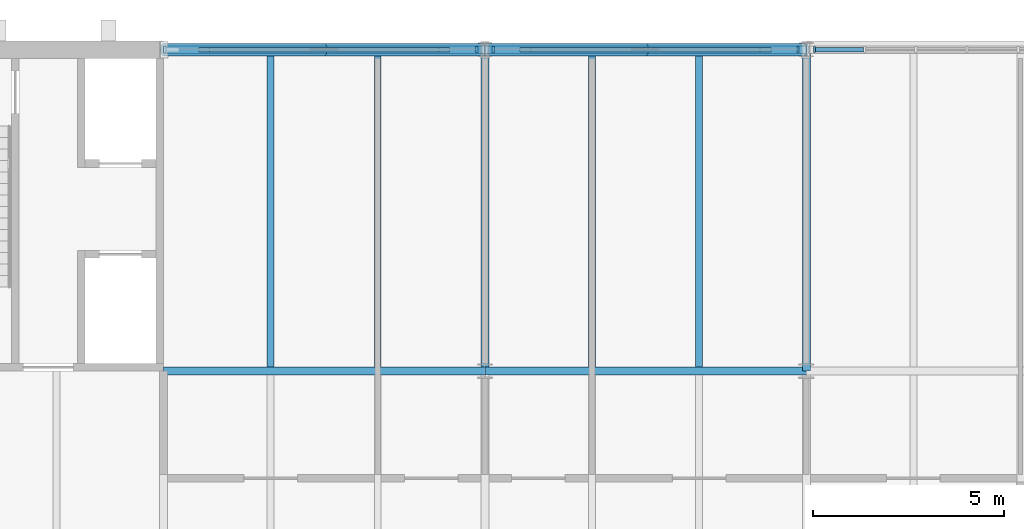
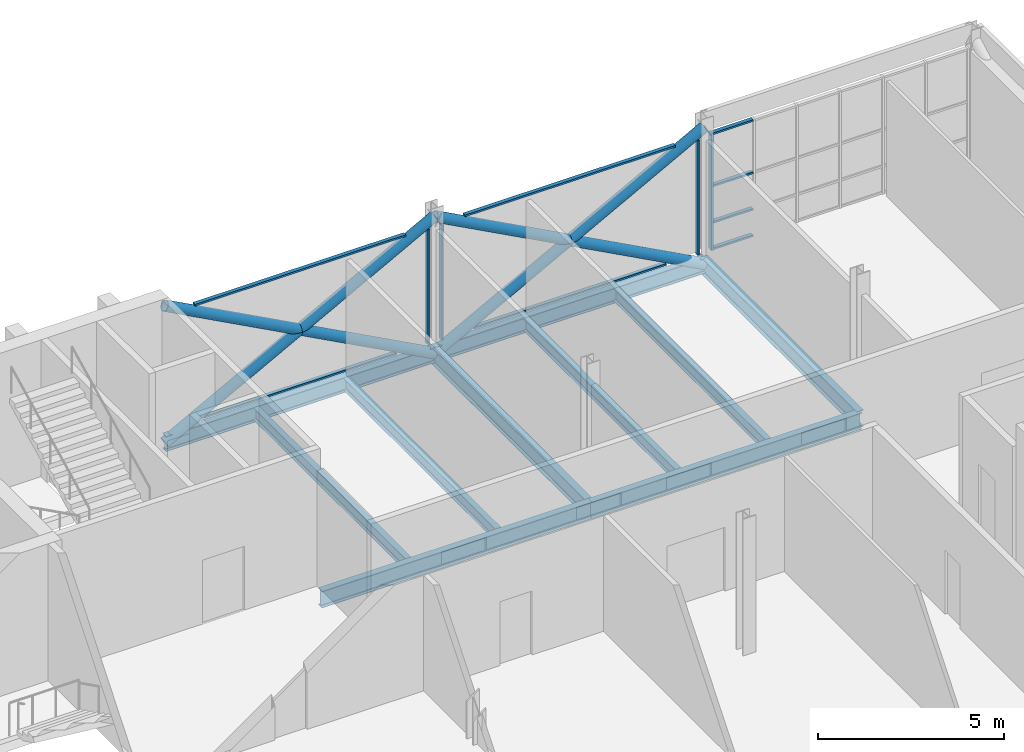
# One storey, part 63 of 121: 18 members, 10 beams, 3 elements without a shape of their own.
"""IFC4 building model written with IfcOpenShell, lengths in metres."""

from ifc_helpers import new_model, si_unit, direction, frame, origin, origin_2d, place, context, subcontext, project, spatial, rectangle, hollow_circle, i_section, extrude, material, layer, layer_set, material_profile, profile_set, type_object, element, aggregate, save


model = new_model("IFC4")

# Units and contexts
model_context = context("Model", 3, precision=1e-05, world=origin(), true_north=direction((0.0, 1.0)))
body_context = subcontext(model_context, "Body", "Model", "MODEL_VIEW")
ifc_project = project(units=[si_unit("LENGTHUNIT", "METRE"), si_unit("AREAUNIT", "SQUARE_METRE"), si_unit("VOLUMEUNIT", "CUBIC_METRE"), si_unit("PLANEANGLEUNIT", "RADIAN"), si_unit("MASSUNIT", "GRAM", prefix="KILO")], contexts=[model_context])

# Site, building, storey
site_placement = place(None, origin())
site = spatial("IfcSite", under=ifc_project, at=site_placement, CompositionType="ELEMENT")
building_placement = place(site_placement, origin())
building = spatial("IfcBuilding", under=site, at=building_placement, Name="Ardhachandra Cancer Care Centre", CompositionType="ELEMENT")
storey_placement = place(building_placement, frame((0.0, 0.0, 9.0)))
storey = spatial("IfcBuildingStorey", under=building, at=storey_placement, Name="L02", CompositionType="ELEMENT", Elevation=9.0)

# Beams
ifc_material_1 = material(Name="Steel E350 (IS 2062)", Category="steel")
ifc_material_profile_1 = material_profile(ifc_material_1, i_section(OverallWidth=0.179931640625, OverallDepth=0.39990234375, WebThickness=0.008544921875, FlangeThickness=0.013427734375, FilletRadius=0.02099609375, at=origin_2d()), Name="NPB 400x180x66.30")
ifc_profile_set_1 = profile_set([ifc_material_profile_1], Name="Steel E350 (IS 2062)")
beam_type_1 = type_object("IfcBeamType", Name="Beam NPB 400x180x66.30", PredefinedType="BEAM", material=ifc_profile_set_1)
for number, where, z_axis, x_axis, name in (
    (1, (122.800048828125, 96.705078125, -0.35009765625), (0.0, 1.0, 0.0), (-1.0, 0.0, 0.0), "Secondary L14-M14@2800"),
    (2, (125.60009765625, 96.705078125, -0.35009765625), (0.0, 1.0, 0.0), (-1.0, 0.0, 0.0), "Secondary L14-M14@5600"),
    (3, (131.199951171875, 96.705078125, -0.35009765625), (0.0, 1.0, 0.0), (-1.0, 0.0, 0.0), "Secondary L15-M15@2800"),
    (4, (134.0, 96.705078125, -0.35009765625), (0.0, 1.0, 0.0), (-1.0, 0.0, 0.0), "Secondary L15-M15@5600"),
):
    element("IfcBeam", number, at=place(storey_placement, frame(where, z_axis=z_axis, x_axis=x_axis)), inside=storey, type_object=beam_type_1, Name=name, PredefinedType="BEAM", context=body_context, shape_type="SweptSolid", body=[
        extrude(i_section(OverallWidth=0.179931640625, OverallDepth=0.39990234375, WebThickness=0.008544921875, FlangeThickness=0.013427734375, FilletRadius=0.02099609375, at=origin_2d()), origin(), (0.0, 0.0, 1.0), 8.19482421875),
    ])
ifc_material_2 = material(Name="Steel E350 (IS 2062)", Category="steel")
ifc_material_profile_2 = material_profile(ifc_material_2, i_section(OverallWidth=0.199951171875, OverallDepth=0.5, WebThickness=0.01025390625, FlangeThickness=0.01611328125, FilletRadius=0.02099609375, at=origin_2d()), Name="NPB 500x200x90.68")
ifc_profile_set_2 = profile_set([ifc_material_profile_2], Name="Steel E350 (IS 2062)")
beam_type_2 = type_object("IfcBeamType", Name="Beam NPB 500x200x90.68", PredefinedType="BEAM", material=ifc_profile_set_2)
beam_1_placement = place(storey_placement, frame((120.0, 105.0, -0.39990234375), z_axis=(1.0, 0.0, 0.0), x_axis=(0.0, 1.0, 0.0)))
element("IfcBeam", 5, at=beam_1_placement, inside=storey, type_object=beam_type_2, Name="Edge girder M14-M15", PredefinedType="BEAM", context=body_context, shape_type="SweptSolid", body=[
    extrude(i_section(OverallWidth=0.199951171875, OverallDepth=0.5, WebThickness=0.01025390625, FlangeThickness=0.01611328125, FilletRadius=0.02099609375, at=origin_2d()), origin(), (0.0, 0.0, 1.0), 8.39990234375),
])
beam_2_placement = place(storey_placement, frame((128.39990234375, 105.0, -0.39990234375), z_axis=(1.0, 0.0, 0.0), x_axis=(0.0, 1.0, 0.0)))
element("IfcBeam", 6, at=beam_2_placement, inside=storey, type_object=beam_type_2, Name="Edge girder M15-M16", PredefinedType="BEAM", context=body_context, shape_type="SweptSolid", body=[
    extrude(i_section(OverallWidth=0.199951171875, OverallDepth=0.5, WebThickness=0.01025390625, FlangeThickness=0.01611328125, FilletRadius=0.02099609375, at=origin_2d()), origin(), (0.0, 0.0, 1.0), 8.400146484375),
])
ifc_material_3 = material(Name="Steel E350 (IS 2062)", Category="steel")
ifc_material_profile_3 = material_profile(ifc_material_3, i_section(OverallWidth=0.2099609375, OverallDepth=0.550048828125, WebThickness=0.010986328125, FlangeThickness=0.01708984375, FilletRadius=0.02392578125, at=origin_2d()), Name="NPB 550x210x105.52")
ifc_profile_set_3 = profile_set([ifc_material_profile_3], Name="Steel E350 (IS 2062)")
beam_type_3 = type_object("IfcBeamType", Name="Beam NPB 550x210x105.52", PredefinedType="BEAM", material=ifc_profile_set_3)
beam_3_placement = place(storey_placement, frame((120.0, 96.60009765625, -0.425048828125), z_axis=(1.0, 0.0, 0.0), x_axis=(0.0, 1.0, 0.0)))
element("IfcBeam", 7, at=beam_3_placement, inside=storey, type_object=beam_type_3, Name="Girder L14-L15", PredefinedType="BEAM", context=body_context, shape_type="SweptSolid", body=[
    extrude(i_section(OverallWidth=0.2099609375, OverallDepth=0.550048828125, WebThickness=0.010986328125, FlangeThickness=0.01708984375, FilletRadius=0.02392578125, at=origin_2d()), origin(), (0.0, 0.0, 1.0), 8.39990234375),
])
beam_4_placement = place(storey_placement, frame((128.39990234375, 96.60009765625, -0.425048828125), z_axis=(1.0, 0.0, 0.0), x_axis=(0.0, 1.0, 0.0)))
element("IfcBeam", 8, at=beam_4_placement, inside=storey, type_object=beam_type_3, Name="Girder L15-L16", PredefinedType="BEAM", context=body_context, shape_type="SweptSolid", body=[
    extrude(i_section(OverallWidth=0.2099609375, OverallDepth=0.550048828125, WebThickness=0.010986328125, FlangeThickness=0.01708984375, FilletRadius=0.02392578125, at=origin_2d()), origin(), (0.0, 0.0, 1.0), 8.400146484375),
])
for number, where, z_axis, x_axis, name in (
    (9, (128.39990234375, 96.60009765625, -0.425048828125), (0.0, 1.0, 0.0), (-1.0, 0.0, 0.0), "Girder L15-M15"),
    (10, (136.800048828125, 96.60009765625, -0.425048828125), (0.0, 1.0, 0.0), (-1.0, 0.0, 0.0), "Girder L16-M16"),
):
    element("IfcBeam", number, at=place(storey_placement, frame(where, z_axis=z_axis, x_axis=x_axis)), inside=storey, type_object=beam_type_3, Name=name, PredefinedType="BEAM", context=body_context, shape_type="SweptSolid", body=[
        extrude(i_section(OverallWidth=0.2099609375, OverallDepth=0.550048828125, WebThickness=0.010986328125, FlangeThickness=0.01708984375, FilletRadius=0.02392578125, at=origin_2d()), origin(), (0.0, 0.0, 1.0), 8.39990234375),
    ])

# Members
ifc_material_4 = material(Name="Steel E350 (IS 2062)", Category="steel")
ifc_material_profile_4 = material_profile(ifc_material_4, hollow_circle(Radius=0.161865234375, WallThickness=0.012451171875, at=origin_2d()), Name="CHS 323.9x12.5")
ifc_profile_set_4 = profile_set([ifc_material_profile_4], Name="Steel E350 (IS 2062)")
member_type_1 = type_object("IfcMemberType", Name="Brace CHS 323.9x12.5", PredefinedType="BRACE", material=ifc_profile_set_4)
member_1_placement = place(storey_placement, frame((120.0, 105.0, -0.39990234375), z_axis=(0.881477684796, 0.0, 0.472225678258), x_axis=(0.0, 1.0, 0.0)))
element("IfcMember", 11, at=member_1_placement, inside=storey, type_object=member_type_1, Name="Brace V5-X1050-1200 L02 A", PredefinedType="BRACE", context=body_context, shape_type="SweptSolid", body=[
    extrude(hollow_circle(Radius=0.161865234375, WallThickness=0.012451171875, at=origin_2d()), origin(), (0.0, 0.0, 1.0), 9.529296875),
])
for number, where, z_axis, x_axis, name in (
    (12, (128.39990234375, 105.0, -0.39990234375), (-0.881477684796, 0.0, 0.472225678258), (0.0, -1.0, 0.0), "Brace V5-X1050-1200 L02 B1"),
    (13, (124.199951171875, 105.0, 1.85009765625), (-0.881477684796, 0.0, 0.472225678258), (0.0, -1.0, 0.0), "Brace V5-X1050-1200 L02 B2"),
):
    element("IfcMember", number, at=place(storey_placement, frame(where, z_axis=z_axis, x_axis=x_axis)), inside=storey, type_object=member_type_1, Name=name, PredefinedType="BRACE", context=body_context, shape_type="SweptSolid", body=[
        extrude(hollow_circle(Radius=0.161865234375, WallThickness=0.012451171875, at=origin_2d()), origin(), (0.0, 0.0, 1.0), 4.7646484375),
    ])
member_2_placement = place(storey_placement, frame((128.39990234375, 105.0, -0.39990234375), z_axis=(0.881483397762, 0.0, 0.472215014025), x_axis=(0.0, 1.0, 0.0)))
element("IfcMember", 14, at=member_2_placement, inside=storey, type_object=member_type_1, Name="Brace V5-X1050-1284 L02 A", PredefinedType="BRACE", context=body_context, shape_type="SweptSolid", body=[
    extrude(hollow_circle(Radius=0.161865234375, WallThickness=0.012451171875, at=origin_2d()), origin(), (0.0, 0.0, 1.0), 9.529541015625),
])
member_3_placement = place(storey_placement, frame((136.800048828125, 105.0, -0.39990234375), z_axis=(-0.881477684796, 0.0, 0.472225678258), x_axis=(0.0, -1.0, 0.0)))
element("IfcMember", 15, at=member_3_placement, inside=storey, type_object=member_type_1, Name="Brace V5-X1050-1284 L02 B1", PredefinedType="BRACE", context=body_context, shape_type="SweptSolid", body=[
    extrude(hollow_circle(Radius=0.161865234375, WallThickness=0.012451171875, at=origin_2d()), origin(), (0.0, 0.0, 1.0), 4.7646484375),
])
member_4_placement = place(storey_placement, frame((132.60009765625, 105.0, 1.85009765625), z_axis=(-0.881489110341, 0.0, 0.472204350203), x_axis=(0.0, -1.0, 0.0)))
element("IfcMember", 16, at=member_4_placement, inside=storey, type_object=member_type_1, Name="Brace V5-X1050-1284 L02 B2", PredefinedType="BRACE", context=body_context, shape_type="SweptSolid", body=[
    extrude(hollow_circle(Radius=0.161865234375, WallThickness=0.012451171875, at=origin_2d()), origin(), (0.0, 0.0, 1.0), 4.764892578125),
])

# Curtain wall, member
ifc_material_5 = material(Name="Aluminium extrusion", Category="aluminium")
ifc_layer = layer(ifc_material_5, 0.14990234375)
ifc_layer_set = layer_set([ifc_layer], Name="Aluminium extrusion")
curtain_wall_type = type_object("IfcCurtainWallType", Name="Curtain wall run", PredefinedType="NOTDEFINED", material=ifc_layer_set)
curtain_wall_1_placement = place(storey_placement, origin())
curtain_wall_1 = element("IfcCurtainWall", 17, at=curtain_wall_1_placement, inside=storey, type_object=curtain_wall_type, Name="Curtain wall L02 n/0120000_0105000", PredefinedType="NOTDEFINED")
ifc_material_6 = material(Name="Aluminium extrusion", Category="aluminium")
ifc_material_profile_5 = material_profile(ifc_material_6, rectangle(XDim=0.159912109375, YDim=0.06005859375, at=origin_2d()), Name="Curtain wall mullion 60 x 160")
ifc_profile_set_5 = profile_set([ifc_material_profile_5], Name="Aluminium extrusion")
member_type_2 = type_object("IfcMemberType", Name="Curtain wall mullion 60 x 160", PredefinedType="MULLION", material=ifc_profile_set_5)
member_5_placement = place(storey_placement, frame((128.1845703125, 105.0, 0.0), z_axis=(0.0, 0.0, 1.0), x_axis=(0.0, 1.0, 0.0)))
member_5 = element("IfcMember", 18, at=member_5_placement, type_object=member_type_2, Name="CW mullion 2", PredefinedType="MULLION", context=body_context, shape_type="SweptSolid", body=[
    extrude(rectangle(XDim=0.159912109375, YDim=0.06005859375, at=origin_2d()), origin(), (0.0, 0.0, 1.0), 3.78271484375),
])

# Curtain wall, members
curtain_wall_2_placement = place(storey_placement, origin())
curtain_wall_2 = element("IfcCurtainWall", 19, at=curtain_wall_2_placement, inside=storey, type_object=curtain_wall_type, Name="Curtain wall L02 n/0128400_0105000", PredefinedType="NOTDEFINED")
member_6_placement = place(storey_placement, frame((128.615478515625, 105.0, 0.0), z_axis=(0.0, 0.0, 1.0), x_axis=(0.0, 1.0, 0.0)))
member_6 = element("IfcMember", 20, at=member_6_placement, type_object=member_type_2, Name="CW mullion 1", PredefinedType="MULLION", context=body_context, shape_type="SweptSolid", body=[
    extrude(rectangle(XDim=0.159912109375, YDim=0.06005859375, at=origin_2d()), origin(), (0.0, 0.0, 1.0), 3.78271484375),
])
member_7_placement = place(storey_placement, frame((136.58447265625, 105.0, 0.0), z_axis=(0.0, 0.0, 1.0), x_axis=(0.0, 1.0, 0.0)))
member_7 = element("IfcMember", 21, at=member_7_placement, type_object=member_type_2, Name="CW mullion 2", PredefinedType="MULLION", context=body_context, shape_type="SweptSolid", body=[
    extrude(rectangle(XDim=0.159912109375, YDim=0.06005859375, at=origin_2d()), origin(), (0.0, 0.0, 1.0), 3.78271484375),
])

# Curtain wall, member
curtain_wall_3_placement = place(storey_placement, origin())
curtain_wall_3 = element("IfcCurtainWall", 22, at=curtain_wall_3_placement, inside=storey, type_object=curtain_wall_type, Name="Curtain wall L02 n/0136800_0105000", PredefinedType="NOTDEFINED")
member_8_placement = place(storey_placement, frame((137.015380859375, 105.0, 0.0), z_axis=(0.0, 0.0, 1.0), x_axis=(0.0, 1.0, 0.0)))
member_8 = element("IfcMember", 23, at=member_8_placement, type_object=member_type_2, Name="CW mullion 1", PredefinedType="MULLION", context=body_context, shape_type="SweptSolid", body=[
    extrude(rectangle(XDim=0.159912109375, YDim=0.06005859375, at=origin_2d()), origin(), (0.0, 0.0, 1.0), 3.85009765625),
])

# Member
ifc_material_7 = material(Name="Aluminium extrusion", Category="aluminium")
ifc_material_profile_6 = material_profile(ifc_material_7, rectangle(XDim=0.1201171875, YDim=0.06005859375, at=origin_2d()), Name="Curtain wall transom 60 x 120")
ifc_profile_set_6 = profile_set([ifc_material_profile_6], Name="Aluminium extrusion")
member_type_3 = type_object("IfcMemberType", Name="Curtain wall transom 60 x 120", PredefinedType="USERDEFINED", material=ifc_profile_set_6)
member_9_placement = place(storey_placement, frame((121.204833984375, 105.0, 0.030029296875), z_axis=(1.0, 0.0, 0.0), x_axis=(0.0, 1.0, 0.0)))
member_9 = element("IfcMember", 24, at=member_9_placement, type_object=member_type_3, Name="CW transom 1.1", ObjectType="TRANSOM", PredefinedType="USERDEFINED", context=body_context, shape_type="SweptSolid", body=[
    extrude(rectangle(XDim=0.1201171875, YDim=0.06005859375, at=origin_2d()), origin(), (0.0, 0.0, 1.0), 5.991455078125),
])

member_10_placement = place(storey_placement, frame((120.923828125, 105.0, 3.820068359375), z_axis=(1.0, 0.0, 0.0), x_axis=(0.0, 1.0, 0.0)))
member_10 = element("IfcMember", 25, at=member_10_placement, type_object=member_type_3, Name="CW transom 1.2", ObjectType="TRANSOM", PredefinedType="USERDEFINED", context=body_context, shape_type="SweptSolid", body=[
    extrude(rectangle(XDim=0.1201171875, YDim=0.06005859375, at=origin_2d()), origin(), (0.0, 0.0, 1.0), 6.552490234375),
])

aggregate(curtain_wall_1, [member_5, member_9, member_10])

member_11_placement = place(storey_placement, frame((129.603759765625, 105.0, 0.030029296875), z_axis=(1.0, 0.0, 0.0), x_axis=(0.0, 1.0, 0.0)))
member_11 = element("IfcMember", 26, at=member_11_placement, type_object=member_type_3, Name="CW transom 1.1", ObjectType="TRANSOM", PredefinedType="USERDEFINED", context=body_context, shape_type="SweptSolid", body=[
    extrude(rectangle(XDim=0.1201171875, YDim=0.06005859375, at=origin_2d()), origin(), (0.0, 0.0, 1.0), 5.992431640625),
])

member_12_placement = place(storey_placement, frame((129.32373046875, 105.0, 3.820068359375), z_axis=(1.0, 0.0, 0.0), x_axis=(0.0, 1.0, 0.0)))
member_12 = element("IfcMember", 27, at=member_12_placement, type_object=member_type_3, Name="CW transom 1.2", ObjectType="TRANSOM", PredefinedType="USERDEFINED", context=body_context, shape_type="SweptSolid", body=[
    extrude(rectangle(XDim=0.1201171875, YDim=0.06005859375, at=origin_2d()), origin(), (0.0, 0.0, 1.0), 6.552490234375),
])

aggregate(curtain_wall_2, [member_6, member_7, member_11, member_12])

member_13_placement = place(storey_placement, frame((137.04541015625, 105.0, 0.030029296875), z_axis=(1.0, 0.0, 0.0), x_axis=(0.0, 1.0, 0.0)))
member_13 = element("IfcMember", 28, at=member_13_placement, type_object=member_type_3, Name="CW transom 1.1", ObjectType="TRANSOM", PredefinedType="USERDEFINED", context=body_context, shape_type="SweptSolid", body=[
    extrude(rectangle(XDim=0.1201171875, YDim=0.06005859375, at=origin_2d()), origin(), (0.0, 0.0, 1.0), 1.248291015625),
])

member_14_placement = place(storey_placement, frame((137.04541015625, 105.0, 0.89990234375), z_axis=(1.0, 0.0, 0.0), x_axis=(0.0, 1.0, 0.0)))
member_14 = element("IfcMember", 29, at=member_14_placement, type_object=member_type_3, Name="CW transom 1.2", ObjectType="TRANSOM", PredefinedType="USERDEFINED", context=body_context, shape_type="SweptSolid", body=[
    extrude(rectangle(XDim=0.1201171875, YDim=0.06005859375, at=origin_2d()), origin(), (0.0, 0.0, 1.0), 1.248291015625),
])

member_15_placement = place(storey_placement, frame((137.04541015625, 105.0, 2.10009765625), z_axis=(1.0, 0.0, 0.0), x_axis=(0.0, 1.0, 0.0)))
member_15 = element("IfcMember", 30, at=member_15_placement, type_object=member_type_3, Name="CW transom 1.3", ObjectType="TRANSOM", PredefinedType="USERDEFINED", context=body_context, shape_type="SweptSolid", body=[
    extrude(rectangle(XDim=0.1201171875, YDim=0.06005859375, at=origin_2d()), origin(), (0.0, 0.0, 1.0), 1.248291015625),
])

member_16_placement = place(storey_placement, frame((137.04541015625, 105.0, 3.820068359375), z_axis=(1.0, 0.0, 0.0), x_axis=(0.0, 1.0, 0.0)))
member_16 = element("IfcMember", 31, at=member_16_placement, type_object=member_type_3, Name="CW transom 1.4", ObjectType="TRANSOM", PredefinedType="USERDEFINED", context=body_context, shape_type="SweptSolid", body=[
    extrude(rectangle(XDim=0.1201171875, YDim=0.06005859375, at=origin_2d()), origin(), (0.0, 0.0, 1.0), 1.248291015625),
])

aggregate(curtain_wall_3, [member_8, member_13, member_14, member_15, member_16])

save(model, "model.ifc")
